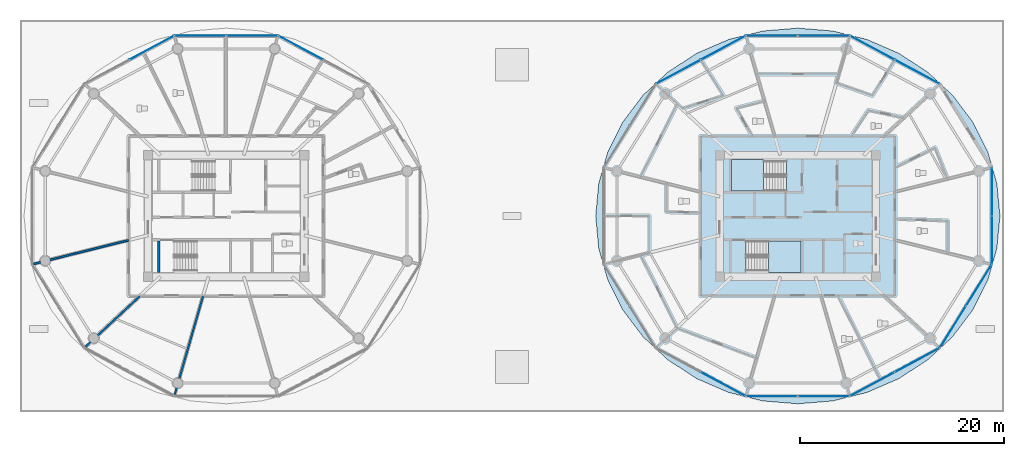
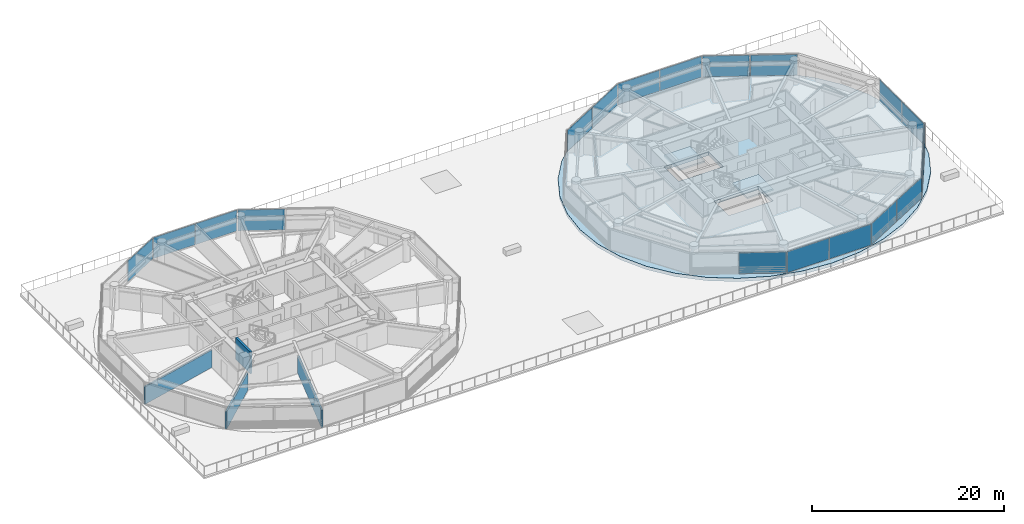
# One storey, part 14 of 32: 19 plates, 4 walls, 3 slabs, 13 elements without a shape of their own.
"""IFC4 building model written with IfcOpenShell, lengths in metres."""

from ifc_helpers import new_model, si_unit, direction, frame, frame_2d, origin, origin_2d, place, context, subcontext, project, spatial, polyline, rectangle, outline, extrude, source, transform, mapped, material, layer, layer_set, type_object, type_shapes, element, aggregate, save


model = new_model("IFC4")

# Units and contexts
model_context = context("Model", 3, precision=1e-05, world=origin(), true_north=direction((0.0, 1.0)))
body_context = subcontext(model_context, "Body", "Model", "MODEL_VIEW")
ifc_project = project(units=[si_unit("LENGTHUNIT", "METRE"), si_unit("AREAUNIT", "SQUARE_METRE"), si_unit("VOLUMEUNIT", "CUBIC_METRE"), si_unit("PLANEANGLEUNIT", "RADIAN"), si_unit("MASSUNIT", "GRAM", prefix="KILO")], contexts=[model_context])

# Site, building, storey
site_placement = place(None, origin())
site = spatial("IfcSite", under=ifc_project, at=site_placement, CompositionType="ELEMENT")
building_placement = place(site_placement, origin())
building = spatial("IfcBuilding", under=site, at=building_placement, Name="Norrkilde Senior Care Towers", CompositionType="ELEMENT")
storey_placement = place(building_placement, frame((0.0, 0.0, 21.60009765625)))
storey = spatial("IfcBuildingStorey", under=building, at=storey_placement, Name="L05", CompositionType="ELEMENT", Elevation=21.60009765625)

# Stair, slab
ifc_material_1 = material(Name="Concrete C45/55", Category="concrete")
stair_type = type_object("IfcStairType", Name="Core Protected Dogleg Stair Typical 3050", PredefinedType="HALF_TURN_STAIR", material=ifc_material_1)
stair_1_placement = place(storey_placement, origin())
stair_1 = element("IfcStair", 1, at=stair_1_placement, inside=storey, type_object=stair_type, Name="L05 Protected Core Stair E1", PredefinedType="HALF_TURN_STAIR")
ifc_layer_1 = layer(ifc_material_1, 0.199951171875)
ifc_layer_set_1 = layer_set([ifc_layer_1], Name="Concrete C45/55")
slab_type_1 = type_object("IfcSlabType", Name="Stair Landing Slab 200", PredefinedType="LANDING", material=ifc_layer_set_1)
slab_1_placement = place(storey_placement, frame((0.0, 0.0, 1.324951171875)))
slab_1 = element("IfcSlab", 2, at=slab_1_placement, type_object=slab_type_1, Name="ST-E1 landing 1", PredefinedType="LANDING", context=body_context, shape_type="SweptSolid", body=[
    extrude(outline(polyline([(24.659912109375, 5.52490234375), (21.5, 5.52490234375), (21.5, 2.449951171875), (24.659912109375, 2.449951171875), (24.659912109375, 5.52490234375)])), origin(), (0.0, 0.0, 1.0), 0.199951171875),
])
aggregate(stair_1, [slab_1])

stair_2_placement = place(storey_placement, origin())
stair_2 = element("IfcStair", 3, at=stair_2_placement, inside=storey, type_object=stair_type, Name="L05 Protected Core Stair E2", PredefinedType="HALF_TURN_STAIR")
slab_2_placement = place(storey_placement, frame((0.0, 0.0, 1.324951171875)))
slab_2 = element("IfcSlab", 4, at=slab_2_placement, type_object=slab_type_1, Name="ST-E2 landing 1", PredefinedType="LANDING", context=body_context, shape_type="SweptSolid", body=[
    extrude(outline(polyline([(25.139892578125, -5.52490234375), (28.300048828125, -5.52490234375), (28.300048828125, -2.449951171875), (25.139892578125, -2.449951171875), (25.139892578125, -5.52490234375)])), origin(), (0.0, 0.0, 1.0), 0.199951171875),
])
aggregate(stair_2, [slab_2])

# Slab
ifc_material_2 = material(Name="Concrete C60/75", Category="concrete")
ifc_layer_2 = layer(ifc_material_2, 0.419921875)
ifc_layer_set_2 = layer_set([ifc_layer_2], Name="Concrete C60/75")
slab_type_2 = type_object("IfcSlabType", Name="Transfer Deck Slab 420", PredefinedType="FLOOR", material=ifc_layer_set_2)
slab_3_placement = place(storey_placement, frame((0.0, 0.0, -0.420166015625)))
element("IfcSlab", 5, at=slab_3_placement, inside=storey, type_object=slab_type_2, Name="L05 Drum E Structural Floor Slab", PredefinedType="FLOOR", context=body_context, shape_type="SweptSolid", body=[
    extrude(outline(polyline([(46.60595703125, -6.293212890625), (45.147216796875, -9.199951171875), (43.167724609375, -11.827392578125), (40.727294921875, -14.09521484375), (37.89990234375, -15.934814453125), (34.77197265625, -17.290283203125), (31.438232421875, -18.120361328125), (28.0, -18.39990234375), (24.561767578125, -18.120361328125), (21.22802734375, -17.290283203125), (18.10009765625, -15.934814453125), (15.272705078125, -14.09521484375), (12.832275390625, -11.827392578125), (10.852783203125, -9.199951171875), (9.39404296875, -6.293212890625), (8.500732421875, -3.195068359375), (8.199951171875, 0.0), (8.500732421875, 3.195068359375), (9.39404296875, 6.293212890625), (10.852783203125, 9.199951171875), (12.832275390625, 11.827392578125), (15.272705078125, 14.09521484375), (18.10009765625, 15.934814453125), (21.22802734375, 17.290283203125), (24.561767578125, 18.120361328125), (28.0, 18.39990234375), (31.438232421875, 18.120361328125), (34.77197265625, 17.290283203125), (37.89990234375, 15.934814453125), (40.727294921875, 14.09521484375), (43.167724609375, 11.827392578125), (45.147216796875, 9.199951171875), (46.60595703125, 6.293212890625), (47.499267578125, 3.195068359375), (47.800048828125, 0.0), (47.499267578125, -3.195068359375), (46.60595703125, -6.293212890625)]), holes=[polyline([(21.51806640625, 2.468017578125), (26.882080078125, 2.468017578125), (26.882080078125, 5.52490234375), (21.51806640625, 5.52490234375), (21.51806640625, 2.468017578125)]), polyline([(28.281982421875, -5.52490234375), (28.281982421875, -2.468017578125), (22.91796875, -2.468017578125), (22.91796875, -5.52490234375), (28.281982421875, -5.52490234375)])]), origin(), (0.0, 0.0, 1.0), 0.420166015625),
])

# Curtain wall, plate
ifc_material_3 = material(Name="Triple Low-E Insulated Glazing", Category="glass")
ifc_layer_3 = layer(ifc_material_3, 0.199951171875)
ifc_layer_set_3 = layer_set([ifc_layer_3], Name="Triple Low-E Insulated Glazing")
curtain_wall_type = type_object("IfcCurtainWallType", Name="CW2 Zone 1 Memory Care Curtain Wall", PredefinedType="NOTDEFINED", material=ifc_layer_set_3)
curtain_wall_1_placement = place(storey_placement, origin())
curtain_wall_1 = element("IfcCurtainWall", 6, at=curtain_wall_1_placement, inside=storey, type_object=curtain_wall_type, Name="L05 Drum W Curtain Wall 01", PredefinedType="NOTDEFINED")
ifc_layer_4 = layer(ifc_material_3, 0.035888671875)
ifc_layer_set_4 = layer_set([ifc_layer_4], Name="Triple Low-E Insulated Glazing")
plate_type = type_object("IfcPlateType", Name="Triple Low-E Vision Curtain Panel 36", PredefinedType="CURTAIN_PANEL", material=ifc_layer_set_4)
shared_shape_1 = source(origin(), body_context, "Body", "SweptSolid", [
    extrude(rectangle(XDim=4.907958984375, YDim=0.035888671875, at=origin_2d()), origin(), (0.0, 0.0, 1.0), 2.669921875),
])
plate_1_placement = place(storey_placement, frame((-20.6865234375, 16.466552734375, 0.06005859375), z_axis=(0.0, 0.0, 1.0), x_axis=(0.881272866403, -0.472607802456, 0.0)))
plate_1 = element("IfcPlate", 7, at=plate_1_placement, type_object=plate_type, Name="CW-2 panel 1.1", PredefinedType="CURTAIN_PANEL", context=body_context, shape_type="MappedRepresentation", body=[
    mapped(shared_shape_1, transform((0.0, 0.0, 0.0), x_axis=(1.0, 0.0, 0.0), y_axis=(0.0, 1.0, 0.0), z_axis=(0.0, 0.0, 1.0), scale=1.0)),
])
aggregate(curtain_wall_1, [plate_1])

curtain_wall_2_placement = place(storey_placement, origin())
curtain_wall_2 = element("IfcCurtainWall", 8, at=curtain_wall_2_placement, inside=storey, type_object=curtain_wall_type, Name="L05 Drum W Curtain Wall 03", PredefinedType="NOTDEFINED")
plate_2_placement = place(storey_placement, frame((-35.3134765625, 16.466552734375, 0.06005859375), z_axis=(0.0, 0.0, 1.0), x_axis=(0.881272866403, 0.472607802456, 0.0)))
plate_2 = element("IfcPlate", 9, at=plate_2_placement, type_object=plate_type, Name="CW-2 panel 2.1", PredefinedType="CURTAIN_PANEL", context=body_context, shape_type="MappedRepresentation", body=[
    mapped(shared_shape_1, transform((0.0, 0.0, 0.0), x_axis=(1.0, 0.0, 0.0), y_axis=(0.0, 1.0, 0.0), z_axis=(0.0, 0.0, 1.0), scale=1.0)),
])
aggregate(curtain_wall_2, [plate_2])

# Curtain wall, plates
curtain_wall_3_placement = place(storey_placement, origin())
curtain_wall_3 = element("IfcCurtainWall", 10, at=curtain_wall_3_placement, inside=storey, type_object=curtain_wall_type, Name="L05 Drum E Curtain Wall 01", PredefinedType="NOTDEFINED")
plate_3_placement = place(storey_placement, frame((35.3134765625, 16.466552734375, 0.06005859375), z_axis=(0.0, 0.0, 1.0), x_axis=(0.881272866403, -0.472607802456, 0.0)))
plate_3 = element("IfcPlate", 11, at=plate_3_placement, type_object=plate_type, Name="CW-2 panel 1.1", PredefinedType="CURTAIN_PANEL", context=body_context, shape_type="MappedRepresentation", body=[
    mapped(shared_shape_1, transform((0.0, 0.0, 0.0), x_axis=(1.0, 0.0, 0.0), y_axis=(0.0, 1.0, 0.0), z_axis=(0.0, 0.0, 1.0), scale=1.0)),
])
plate_4_placement = place(storey_placement, frame((39.696044921875, 14.116455078125, 0.06005859375), z_axis=(0.0, 0.0, 1.0), x_axis=(0.881272866403, -0.472607802456, 0.0)))
plate_4 = element("IfcPlate", 12, at=plate_4_placement, type_object=plate_type, Name="CW-2 panel 2.1", PredefinedType="CURTAIN_PANEL", context=body_context, shape_type="MappedRepresentation", body=[
    mapped(shared_shape_1, transform((0.0, 0.0, 0.0), x_axis=(1.0, 0.0, 0.0), y_axis=(0.0, 1.0, 0.0), z_axis=(0.0, 0.0, 1.0), scale=1.0)),
])
aggregate(curtain_wall_3, [plate_3, plate_4])

curtain_wall_4_placement = place(storey_placement, origin())
curtain_wall_4 = element("IfcCurtainWall", 13, at=curtain_wall_4_placement, inside=storey, type_object=curtain_wall_type, Name="L05 Drum E Curtain Wall 03", PredefinedType="NOTDEFINED")
plate_5_placement = place(storey_placement, frame((16.303955078125, 14.116455078125, 0.06005859375), z_axis=(0.0, 0.0, 1.0), x_axis=(0.881272866403, 0.472607802456, 0.0)))
plate_5 = element("IfcPlate", 14, at=plate_5_placement, type_object=plate_type, Name="CW-2 panel 1.1", PredefinedType="CURTAIN_PANEL", context=body_context, shape_type="MappedRepresentation", body=[
    mapped(shared_shape_1, transform((0.0, 0.0, 0.0), x_axis=(1.0, 0.0, 0.0), y_axis=(0.0, 1.0, 0.0), z_axis=(0.0, 0.0, 1.0), scale=1.0)),
])
plate_6_placement = place(storey_placement, frame((20.6865234375, 16.466552734375, 0.06005859375), z_axis=(0.0, 0.0, 1.0), x_axis=(0.881272866403, 0.472607802456, 0.0)))
plate_6 = element("IfcPlate", 15, at=plate_6_placement, type_object=plate_type, Name="CW-2 panel 2.1", PredefinedType="CURTAIN_PANEL", context=body_context, shape_type="MappedRepresentation", body=[
    mapped(shared_shape_1, transform((0.0, 0.0, 0.0), x_axis=(1.0, 0.0, 0.0), y_axis=(0.0, 1.0, 0.0), z_axis=(0.0, 0.0, 1.0), scale=1.0)),
])
aggregate(curtain_wall_4, [plate_5, plate_6])

# Curtain wall, plate
curtain_wall_5_placement = place(storey_placement, origin())
curtain_wall_5 = element("IfcCurtainWall", 16, at=curtain_wall_5_placement, inside=storey, type_object=curtain_wall_type, Name="L05 Drum E Curtain Wall 07", PredefinedType="NOTDEFINED")
plate_7_placement = place(storey_placement, frame((20.6865234375, -16.466552734375, 0.06005859375), z_axis=(0.0, 0.0, 1.0), x_axis=(-0.881272866403, 0.472607802456, 0.0)))
plate_7 = element("IfcPlate", 17, at=plate_7_placement, type_object=plate_type, Name="CW-2 panel 1.1", PredefinedType="CURTAIN_PANEL", context=body_context, shape_type="MappedRepresentation", body=[
    mapped(shared_shape_1, transform((0.0, 0.0, 0.0), x_axis=(1.0, 0.0, 0.0), y_axis=(0.0, 1.0, 0.0), z_axis=(0.0, 0.0, 1.0), scale=1.0)),
])
aggregate(curtain_wall_5, [plate_7])

# Curtain wall, plates
curtain_wall_6_placement = place(storey_placement, origin())
curtain_wall_6 = element("IfcCurtainWall", 18, at=curtain_wall_6_placement, inside=storey, type_object=curtain_wall_type, Name="L05 Drum E Curtain Wall 09", PredefinedType="NOTDEFINED")
plate_8_placement = place(storey_placement, frame((39.696044921875, -14.116455078125, 0.06005859375), z_axis=(0.0, 0.0, 1.0), x_axis=(-0.881272866403, -0.472607802456, 0.0)))
plate_8 = element("IfcPlate", 19, at=plate_8_placement, type_object=plate_type, Name="CW-2 panel 1.1", PredefinedType="CURTAIN_PANEL", context=body_context, shape_type="MappedRepresentation", body=[
    mapped(shared_shape_1, transform((0.0, 0.0, 0.0), x_axis=(1.0, 0.0, 0.0), y_axis=(0.0, 1.0, 0.0), z_axis=(0.0, 0.0, 1.0), scale=1.0)),
])
plate_9_placement = place(storey_placement, frame((35.3134765625, -16.466552734375, 0.06005859375), z_axis=(0.0, 0.0, 1.0), x_axis=(-0.881272866403, -0.472607802456, 0.0)))
plate_9 = element("IfcPlate", 20, at=plate_9_placement, type_object=plate_type, Name="CW-2 panel 2.1", PredefinedType="CURTAIN_PANEL", context=body_context, shape_type="MappedRepresentation", body=[
    mapped(shared_shape_1, transform((0.0, 0.0, 0.0), x_axis=(1.0, 0.0, 0.0), y_axis=(0.0, 1.0, 0.0), z_axis=(0.0, 0.0, 1.0), scale=1.0)),
])
aggregate(curtain_wall_6, [plate_8, plate_9])

curtain_wall_7_placement = place(storey_placement, origin())
curtain_wall_7 = element("IfcCurtainWall", 21, at=curtain_wall_7_placement, inside=storey, type_object=curtain_wall_type, Name="L05 Drum W Curtain Wall 02", PredefinedType="NOTDEFINED")
shared_shape_2 = source(origin(), body_context, "Body", "SweptSolid", [
    extrude(rectangle(XDim=4.99609375, YDim=0.035888671875, at=origin_2d()), origin(), (0.0, 0.0, 1.0), 2.669921875),
])
plate_10_placement = place(storey_placement, frame((-30.530517578125, 17.6572265625, 0.06005859375), z_axis=(0.0, 0.0, 1.0), x_axis=(1.0, 0.0, 0.0)))
plate_10 = element("IfcPlate", 22, at=plate_10_placement, type_object=plate_type, Name="CW-2 panel 1.1", PredefinedType="CURTAIN_PANEL", context=body_context, shape_type="MappedRepresentation", body=[
    mapped(shared_shape_2, transform((0.0, 0.0, 0.0), x_axis=(1.0, 0.0, 0.0), y_axis=(0.0, 1.0, 0.0), z_axis=(0.0, 0.0, 1.0), scale=1.0)),
])
plate_11_placement = place(storey_placement, frame((-25.469482421875, 17.6572265625, 0.06005859375), z_axis=(0.0, 0.0, 1.0), x_axis=(1.0, 0.0, 0.0)))
plate_11 = element("IfcPlate", 23, at=plate_11_placement, type_object=plate_type, Name="CW-2 panel 2.1", PredefinedType="CURTAIN_PANEL", context=body_context, shape_type="MappedRepresentation", body=[
    mapped(shared_shape_2, transform((0.0, 0.0, 0.0), x_axis=(1.0, 0.0, 0.0), y_axis=(0.0, 1.0, 0.0), z_axis=(0.0, 0.0, 1.0), scale=1.0)),
])
aggregate(curtain_wall_7, [plate_10, plate_11])

curtain_wall_8_placement = place(storey_placement, origin())
curtain_wall_8 = element("IfcCurtainWall", 24, at=curtain_wall_8_placement, inside=storey, type_object=curtain_wall_type, Name="L05 Drum E Curtain Wall 02", PredefinedType="NOTDEFINED")
plate_12_placement = place(storey_placement, frame((25.469482421875, 17.6572265625, 0.06005859375), z_axis=(0.0, 0.0, 1.0), x_axis=(1.0, 0.0, 0.0)))
plate_12 = element("IfcPlate", 25, at=plate_12_placement, type_object=plate_type, Name="CW-2 panel 1.1", PredefinedType="CURTAIN_PANEL", context=body_context, shape_type="MappedRepresentation", body=[
    mapped(shared_shape_2, transform((0.0, 0.0, 0.0), x_axis=(1.0, 0.0, 0.0), y_axis=(0.0, 1.0, 0.0), z_axis=(0.0, 0.0, 1.0), scale=1.0)),
])
plate_13_placement = place(storey_placement, frame((30.530517578125, 17.6572265625, 0.06005859375), z_axis=(0.0, 0.0, 1.0), x_axis=(1.0, 0.0, 0.0)))
plate_13 = element("IfcPlate", 26, at=plate_13_placement, type_object=plate_type, Name="CW-2 panel 2.1", PredefinedType="CURTAIN_PANEL", context=body_context, shape_type="MappedRepresentation", body=[
    mapped(shared_shape_2, transform((0.0, 0.0, 0.0), x_axis=(1.0, 0.0, 0.0), y_axis=(0.0, 1.0, 0.0), z_axis=(0.0, 0.0, 1.0), scale=1.0)),
])
aggregate(curtain_wall_8, [plate_12, plate_13])

curtain_wall_9_placement = place(storey_placement, origin())
curtain_wall_9 = element("IfcCurtainWall", 27, at=curtain_wall_9_placement, inside=storey, type_object=curtain_wall_type, Name="L05 Drum E Curtain Wall 08", PredefinedType="NOTDEFINED")
plate_14_placement = place(storey_placement, frame((30.530517578125, -17.6572265625, 0.06005859375), z_axis=(0.0, 0.0, 1.0), x_axis=(-1.0, 0.0, 0.0)))
plate_14 = element("IfcPlate", 28, at=plate_14_placement, type_object=plate_type, Name="CW-2 panel 1.1", PredefinedType="CURTAIN_PANEL", context=body_context, shape_type="MappedRepresentation", body=[
    mapped(shared_shape_2, transform((0.0, 0.0, 0.0), x_axis=(1.0, 0.0, 0.0), y_axis=(0.0, 1.0, 0.0), z_axis=(0.0, 0.0, 1.0), scale=1.0)),
])
plate_15_placement = place(storey_placement, frame((25.469482421875, -17.6572265625, 0.06005859375), z_axis=(0.0, 0.0, 1.0), x_axis=(-1.0, 0.0, 0.0)))
plate_15 = element("IfcPlate", 29, at=plate_15_placement, type_object=plate_type, Name="CW-2 panel 2.1", PredefinedType="CURTAIN_PANEL", context=body_context, shape_type="MappedRepresentation", body=[
    mapped(shared_shape_2, transform((0.0, 0.0, 0.0), x_axis=(1.0, 0.0, 0.0), y_axis=(0.0, 1.0, 0.0), z_axis=(0.0, 0.0, 1.0), scale=1.0)),
])
aggregate(curtain_wall_9, [plate_14, plate_15])

curtain_wall_10_placement = place(storey_placement, origin())
curtain_wall_10 = element("IfcCurtainWall", 30, at=curtain_wall_10_placement, inside=storey, type_object=curtain_wall_type, Name="L05 Drum E Curtain Wall 10", PredefinedType="NOTDEFINED")
shared_shape_3 = source(origin(), body_context, "Body", "SweptSolid", [
    extrude(rectangle(XDim=4.726806640625, YDim=0.035888671875, at=origin_2d()), origin(), (0.0, 0.0, 1.0), 2.669921875),
])
plate_16_placement = place(storey_placement, frame((45.7275390625, -6.793701171875, 0.06005859375), z_axis=(0.0, 0.0, 1.0), x_axis=(-0.527900951871, -0.849305943117, 0.0)))
plate_16 = element("IfcPlate", 31, at=plate_16_placement, type_object=plate_type, Name="CW-2 panel 1.1", PredefinedType="CURTAIN_PANEL", context=body_context, shape_type="MappedRepresentation", body=[
    mapped(shared_shape_3, transform((0.0, 0.0, 0.0), x_axis=(1.0, 0.0, 0.0), y_axis=(0.0, 1.0, 0.0), z_axis=(0.0, 0.0, 1.0), scale=1.0)),
])
plate_17_placement = place(storey_placement, frame((43.19775390625, -10.863525390625, 0.06005859375), z_axis=(0.0, 0.0, 1.0), x_axis=(-0.527900951871, -0.849305943117, 0.0)))
plate_17 = element("IfcPlate", 32, at=plate_17_placement, type_object=plate_type, Name="CW-2 panel 2.1", PredefinedType="CURTAIN_PANEL", context=body_context, shape_type="MappedRepresentation", body=[
    mapped(shared_shape_3, transform((0.0, 0.0, 0.0), x_axis=(1.0, 0.0, 0.0), y_axis=(0.0, 1.0, 0.0), z_axis=(0.0, 0.0, 1.0), scale=1.0)),
])
aggregate(curtain_wall_10, [plate_16, plate_17])

curtain_wall_11_placement = place(storey_placement, origin())
curtain_wall_11 = element("IfcCurtainWall", 33, at=curtain_wall_11_placement, inside=storey, type_object=curtain_wall_type, Name="L05 Drum E Curtain Wall 11", PredefinedType="NOTDEFINED")
shared_shape_4 = source(origin(), body_context, "Body", "SweptSolid", [
    extrude(rectangle(XDim=4.6337890625, YDim=0.035888671875, at=origin_2d()), origin(), (0.0, 0.0, 1.0), 2.669921875),
])
type_shapes(plate_type, [shared_shape_1, shared_shape_2, shared_shape_3, shared_shape_4])
plate_18_placement = place(storey_placement, frame((47.009521484375, 2.349365234375, 0.06005859375), z_axis=(0.0, 0.0, 1.0), x_axis=(0.0, -1.0, 0.0)))
plate_18 = element("IfcPlate", 34, at=plate_18_placement, type_object=plate_type, Name="CW-2 panel 1.1", PredefinedType="CURTAIN_PANEL", context=body_context, shape_type="MappedRepresentation", body=[
    mapped(shared_shape_4, transform((0.0, 0.0, 0.0), x_axis=(1.0, 0.0, 0.0), y_axis=(0.0, 1.0, 0.0), z_axis=(0.0, 0.0, 1.0), scale=1.0)),
])
plate_19_placement = place(storey_placement, frame((47.009521484375, -2.349365234375, 0.06005859375), z_axis=(0.0, 0.0, 1.0), x_axis=(0.0, -1.0, 0.0)))
plate_19 = element("IfcPlate", 35, at=plate_19_placement, type_object=plate_type, Name="CW-2 panel 2.1", PredefinedType="CURTAIN_PANEL", context=body_context, shape_type="MappedRepresentation", body=[
    mapped(shared_shape_4, transform((0.0, 0.0, 0.0), x_axis=(1.0, 0.0, 0.0), y_axis=(0.0, 1.0, 0.0), z_axis=(0.0, 0.0, 1.0), scale=1.0)),
])
aggregate(curtain_wall_11, [plate_18, plate_19])

# Walls
ifc_layer_5 = layer(ifc_material_1, 0.239990234375)
ifc_layer_set_5 = layer_set([ifc_layer_5], Name="Concrete C45/55")
wall_type_1 = type_object("IfcWallType", Name="Shaft and Stair Enclosure Wall 240", PredefinedType="PARTITIONING", material=ifc_layer_set_5)
shared_shape_5 = source(origin(), body_context, "Body", "SweptSolid", [
    extrude(rectangle(XDim=3.074951171875, YDim=0.239990234375, at=frame_2d((1.53759765625, 0.0))), origin(), (0.0, 0.0, 1.0), 2.789794921875),
])
type_shapes(wall_type_1, [shared_shape_5])
wall_1_placement = place(storey_placement, frame((-34.6201171875, -5.52490234375, 0.0), z_axis=(0.0, 0.0, 1.0), x_axis=(0.0, 1.0, 0.0)))
element("IfcWall", 36, at=wall_1_placement, inside=storey, type_object=wall_type_1, Name="WL-INT-L05-W-ST2W", PredefinedType="PARTITIONING", context=body_context, shape_type="MappedRepresentation", body=[
    mapped(shared_shape_5, transform((0.0, 0.0, 0.0), x_axis=(1.0, 0.0, 0.0), y_axis=(0.0, 1.0, 0.0), z_axis=(0.0, 0.0, 1.0), scale=1.0)),
])
ifc_material_4 = material(Name="Gypsum Acoustic Board")
ifc_layer_6 = layer(ifc_material_4, 0.18994140625)
ifc_layer_set_6 = layer_set([ifc_layer_6], Name="Gypsum Acoustic Board")
wall_type_2 = type_object("IfcWallType", Name="Unit Demising Acoustic Wall 190", PredefinedType="PARTITIONING", material=ifc_layer_set_6)
shared_shape_6 = source(origin(), body_context, "Body", "SweptSolid", [
    extrude(rectangle(XDim=7.4345703125, YDim=0.18994140625, at=frame_2d((3.71728515625, 0.0))), origin(), (0.0, 0.0, 1.0), 2.224853515625),
])
wall_2_placement = place(storey_placement, frame((-36.48291015625, -7.8798828125, 0.0), z_axis=(0.0, 0.0, 1.0), x_axis=(-0.732651956848, -0.680603489652, 0.0)))
element("IfcWall", 37, at=wall_2_placement, inside=storey, type_object=wall_type_2, Name="WL-INT-L05-W-DEM-07-0", PredefinedType="PARTITIONING", context=body_context, shape_type="MappedRepresentation", body=[
    mapped(shared_shape_6, transform((0.0, 0.0, 0.0), x_axis=(1.0, 0.0, 0.0), y_axis=(0.0, 1.0, 0.0), z_axis=(0.0, 0.0, 1.0), scale=1.0)),
])
shared_shape_7 = source(origin(), body_context, "Body", "SweptSolid", [
    extrude(rectangle(XDim=10.196044921875, YDim=0.18994140625, at=frame_2d((5.09814453125, 0.0))), origin(), (0.0, 0.0, 1.0), 2.224853515625),
])
wall_3_placement = place(storey_placement, frame((-30.27294921875, -7.8798828125, 0.0), z_axis=(0.0, 0.0, 1.0), x_axis=(-0.277136420347, -0.960830580549, 0.0)))
element("IfcWall", 38, at=wall_3_placement, inside=storey, type_object=wall_type_2, Name="WL-INT-L05-W-DEM-08-0", PredefinedType="PARTITIONING", context=body_context, shape_type="MappedRepresentation", body=[
    mapped(shared_shape_7, transform((0.0, 0.0, 0.0), x_axis=(1.0, 0.0, 0.0), y_axis=(0.0, 1.0, 0.0), z_axis=(0.0, 0.0, 1.0), scale=1.0)),
])
shared_shape_8 = source(origin(), body_context, "Body", "SweptSolid", [
    extrude(rectangle(XDim=9.737060546875, YDim=0.18994140625, at=frame_2d((4.86865234375, 0.0))), origin(), (0.0, 0.0, 1.0), 2.224853515625),
])
type_shapes(wall_type_2, [shared_shape_6, shared_shape_7, shared_shape_8])
wall_4_placement = place(storey_placement, frame((-37.580078125, -2.384521484375, 0.0), z_axis=(0.0, 0.0, 1.0), x_axis=(-0.970392716238, -0.241532557375, 0.0)))
element("IfcWall", 39, at=wall_4_placement, inside=storey, type_object=wall_type_2, Name="WL-INT-L05-W-DEM-06-0", PredefinedType="PARTITIONING", context=body_context, shape_type="MappedRepresentation", body=[
    mapped(shared_shape_8, transform((0.0, 0.0, 0.0), x_axis=(1.0, 0.0, 0.0), y_axis=(0.0, 1.0, 0.0), z_axis=(0.0, 0.0, 1.0), scale=1.0)),
])

save(model, "model.ifc")
